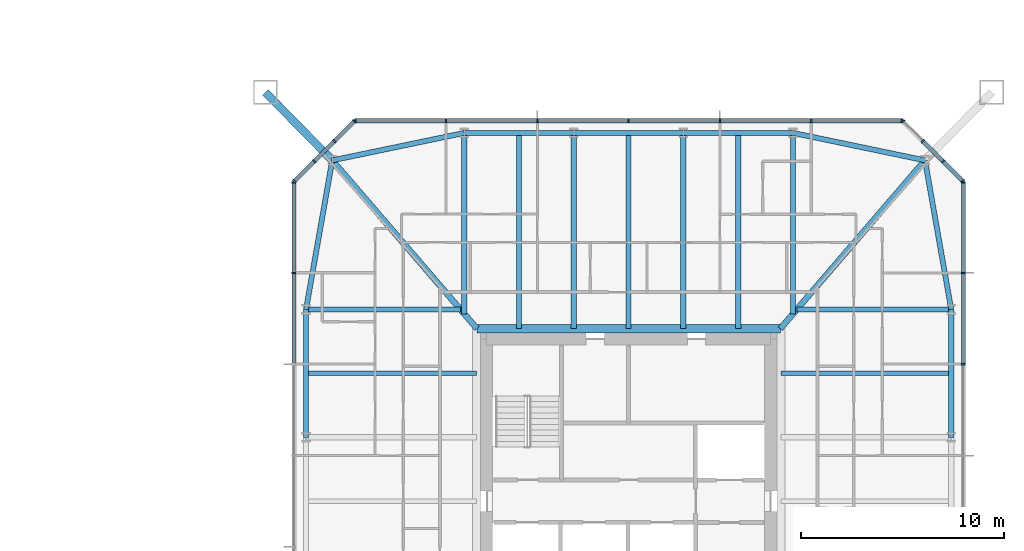
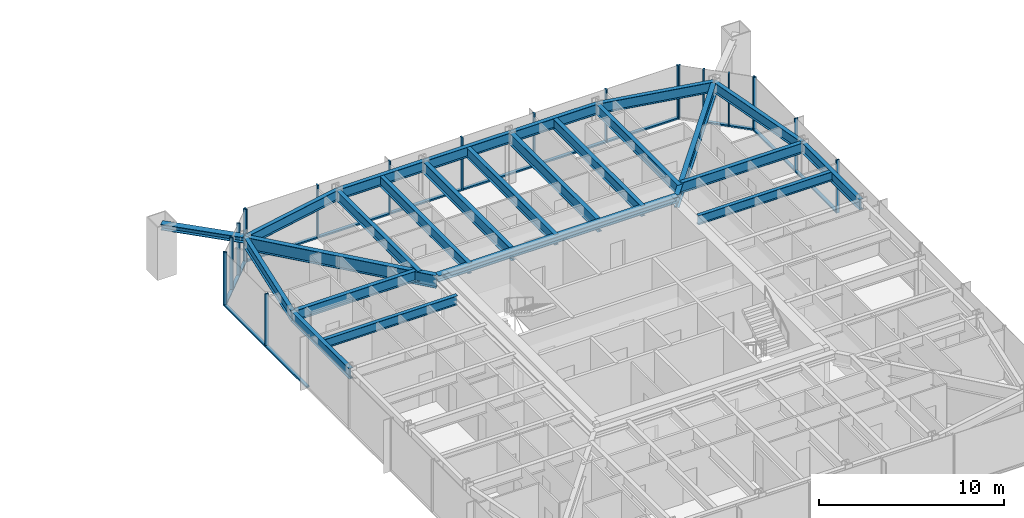
# One storey, part 10 of 26: 36 members, 23 beams, 5 elements without a shape of their own.
"""IFC4 building model written with IfcOpenShell, lengths in metres."""

from ifc_helpers import new_model, si_unit, direction, frame, origin, origin_2d, place, context, subcontext, project, spatial, rectangle, i_section, extrude, material, material_profile, profile_set, type_object, element, aggregate, save


model = new_model("IFC4")

# Units and contexts
model_context = context("Model", 3, precision=1e-05, world=origin(), true_north=direction((0.0, 1.0)))
body_context = subcontext(model_context, "Body", "Model", "MODEL_VIEW")
ifc_project = project(units=[si_unit("LENGTHUNIT", "METRE"), si_unit("AREAUNIT", "SQUARE_METRE"), si_unit("VOLUMEUNIT", "CUBIC_METRE"), si_unit("PLANEANGLEUNIT", "RADIAN"), si_unit("MASSUNIT", "GRAM", prefix="KILO")], contexts=[model_context])

# Site, building, storey
site_placement = place(None, origin())
site = spatial("IfcSite", under=ifc_project, at=site_placement, CompositionType="ELEMENT")
building_placement = place(site_placement, origin())
building = spatial("IfcBuilding", under=site, at=building_placement, Name="Iwan Alto Co-Living Towers", CompositionType="ELEMENT")
storey_placement = place(building_placement, frame((0.0, 0.0, 18.5)))
storey = spatial("IfcBuildingStorey", under=building, at=storey_placement, Name="L04", CompositionType="ELEMENT", Elevation=18.5)

# Curtain wall, members
ifc_material_1 = material(Name="Bronze aluminium unitised frame", Category="aluminium")
curtain_wall_type_1 = type_object("IfcCurtainWallType", Name="CURTAIN WALL CW-C", PredefinedType="NOTDEFINED", material=ifc_material_1)
curtain_wall_1_placement = place(storey_placement, origin())
curtain_wall_1 = element("IfcCurtainWall", 1, at=curtain_wall_1_placement, inside=storey, type_object=curtain_wall_type_1, Name="T2 curtain wall E L04", PredefinedType="NOTDEFINED")
ifc_material_2 = material(Name="Aluminium 6063-T6 bronze anodised", Category="aluminium")
ifc_material_profile_1 = material_profile(ifc_material_2, rectangle(XDim=0.199951171875, YDim=0.080078125, at=origin_2d()), Name="AL 80X200")
ifc_profile_set_1 = profile_set([ifc_material_profile_1], Name="Aluminium 6063-T6 bronze anodised")
member_type_1 = type_object("IfcMemberType", Name="CW-C MULLION 80X200", PredefinedType="MULLION", material=ifc_profile_set_1)
member_1_placement = place(storey_placement, frame((79.5, 6.75, 0.0), z_axis=(0.0, 0.0, 1.0), x_axis=(-1.0, 0.0, 0.0)))
member_1 = element("IfcMember", 2, at=member_1_placement, type_object=member_type_1, Name="CW-C mullion 6", PredefinedType="MULLION", context=body_context, shape_type="SweptSolid", body=[
    extrude(rectangle(XDim=0.199951171875, YDim=0.080078125, at=origin_2d()), origin(), (0.0, 0.0, 1.0), 3.5),
])
member_2_placement = place(storey_placement, frame((79.5, 11.25, 0.0), z_axis=(0.0, 0.0, 1.0), x_axis=(-1.0, 0.0, 0.0)))
member_2 = element("IfcMember", 3, at=member_2_placement, type_object=member_type_1, Name="CW-C mullion 7", PredefinedType="MULLION", context=body_context, shape_type="SweptSolid", body=[
    extrude(rectangle(XDim=0.199951171875, YDim=0.080078125, at=origin_2d()), origin(), (0.0, 0.0, 1.0), 3.5),
])
member_3_placement = place(storey_placement, frame((79.5, 15.7099609375, 0.0), z_axis=(0.0, 0.0, 1.0), x_axis=(-1.0, 0.0, 0.0)))
member_3 = element("IfcMember", 4, at=member_3_placement, type_object=member_type_1, Name="CW-C mullion 8", PredefinedType="MULLION", context=body_context, shape_type="SweptSolid", body=[
    extrude(rectangle(XDim=0.199951171875, YDim=0.080078125, at=origin_2d()), origin(), (0.0, 0.0, 1.0), 3.5),
])

curtain_wall_2_placement = place(storey_placement, origin())
curtain_wall_2 = element("IfcCurtainWall", 5, at=curtain_wall_2_placement, inside=storey, type_object=curtain_wall_type_1, Name="T2 curtain wall N L04", PredefinedType="NOTDEFINED")
member_4_placement = place(storey_placement, frame((76.4599609375, 18.75, 0.0), z_axis=(0.0, 0.0, 1.0), x_axis=(0.0, -1.0, 0.0)))
member_4 = element("IfcMember", 6, at=member_4_placement, type_object=member_type_1, Name="CW-C mullion 1", PredefinedType="MULLION", context=body_context, shape_type="SweptSolid", body=[
    extrude(rectangle(XDim=0.199951171875, YDim=0.080078125, at=origin_2d()), origin(), (0.0, 0.0, 1.0), 3.5),
])
member_5_placement = place(storey_placement, frame((72.0, 18.75, 0.0), z_axis=(0.0, 0.0, 1.0), x_axis=(0.0, -1.0, 0.0)))
member_5 = element("IfcMember", 7, at=member_5_placement, type_object=member_type_1, Name="CW-C mullion 2", PredefinedType="MULLION", context=body_context, shape_type="SweptSolid", body=[
    extrude(rectangle(XDim=0.199951171875, YDim=0.080078125, at=origin_2d()), origin(), (0.0, 0.0, 1.0), 3.5),
])
member_6_placement = place(storey_placement, frame((67.5, 18.75, 0.0), z_axis=(0.0, 0.0, 1.0), x_axis=(0.0, -1.0, 0.0)))
member_6 = element("IfcMember", 8, at=member_6_placement, type_object=member_type_1, Name="CW-C mullion 3", PredefinedType="MULLION", context=body_context, shape_type="SweptSolid", body=[
    extrude(rectangle(XDim=0.199951171875, YDim=0.080078125, at=origin_2d()), origin(), (0.0, 0.0, 1.0), 3.5),
])
member_7_placement = place(storey_placement, frame((63.0, 18.75, 0.0), z_axis=(0.0, 0.0, 1.0), x_axis=(0.0, -1.0, 0.0)))
member_7 = element("IfcMember", 9, at=member_7_placement, type_object=member_type_1, Name="CW-C mullion 4", PredefinedType="MULLION", context=body_context, shape_type="SweptSolid", body=[
    extrude(rectangle(XDim=0.199951171875, YDim=0.080078125, at=origin_2d()), origin(), (0.0, 0.0, 1.0), 3.5),
])
member_8_placement = place(storey_placement, frame((58.5, 18.75, 0.0), z_axis=(0.0, 0.0, 1.0), x_axis=(0.0, -1.0, 0.0)))
member_8 = element("IfcMember", 10, at=member_8_placement, type_object=member_type_1, Name="CW-C mullion 5", PredefinedType="MULLION", context=body_context, shape_type="SweptSolid", body=[
    extrude(rectangle(XDim=0.199951171875, YDim=0.080078125, at=origin_2d()), origin(), (0.0, 0.0, 1.0), 3.5),
])
member_9_placement = place(storey_placement, frame((54.0, 18.75, 0.0), z_axis=(0.0, 0.0, 1.0), x_axis=(0.0, -1.0, 0.0)))
member_9 = element("IfcMember", 11, at=member_9_placement, type_object=member_type_1, Name="CW-C mullion 6", PredefinedType="MULLION", context=body_context, shape_type="SweptSolid", body=[
    extrude(rectangle(XDim=0.199951171875, YDim=0.080078125, at=origin_2d()), origin(), (0.0, 0.0, 1.0), 3.5),
])
member_10_placement = place(storey_placement, frame((49.5400390625, 18.75, 0.0), z_axis=(0.0, 0.0, 1.0), x_axis=(0.0, -1.0, 0.0)))
member_10 = element("IfcMember", 12, at=member_10_placement, type_object=member_type_1, Name="CW-C mullion 7", PredefinedType="MULLION", context=body_context, shape_type="SweptSolid", body=[
    extrude(rectangle(XDim=0.199951171875, YDim=0.080078125, at=origin_2d()), origin(), (0.0, 0.0, 1.0), 3.5),
])

curtain_wall_3_placement = place(storey_placement, origin())
curtain_wall_3 = element("IfcCurtainWall", 13, at=curtain_wall_3_placement, inside=storey, type_object=curtain_wall_type_1, Name="T2 curtain wall W L04", PredefinedType="NOTDEFINED")
member_11_placement = place(storey_placement, frame((46.5, 15.7099609375, 0.0), z_axis=(0.0, 0.0, 1.0), x_axis=(1.0, 0.0, 0.0)))
member_11 = element("IfcMember", 14, at=member_11_placement, type_object=member_type_1, Name="CW-C mullion 1", PredefinedType="MULLION", context=body_context, shape_type="SweptSolid", body=[
    extrude(rectangle(XDim=0.199951171875, YDim=0.080078125, at=origin_2d()), origin(), (0.0, 0.0, 1.0), 3.5),
])
member_12_placement = place(storey_placement, frame((46.5, 11.25, 0.0), z_axis=(0.0, 0.0, 1.0), x_axis=(1.0, 0.0, 0.0)))
member_12 = element("IfcMember", 15, at=member_12_placement, type_object=member_type_1, Name="CW-C mullion 2", PredefinedType="MULLION", context=body_context, shape_type="SweptSolid", body=[
    extrude(rectangle(XDim=0.199951171875, YDim=0.080078125, at=origin_2d()), origin(), (0.0, 0.0, 1.0), 3.5),
])

# Member
ifc_material_3 = material(Name="Aluminium 6063-T6 bronze anodised", Category="aluminium")
ifc_material_profile_2 = material_profile(ifc_material_3, rectangle(XDim=0.199951171875, YDim=0.10009765625, at=origin_2d()), Name="AL 200X100")
ifc_profile_set_2 = profile_set([ifc_material_profile_2], Name="Aluminium 6063-T6 bronze anodised")
member_type_2 = type_object("IfcMemberType", Name="CW-C TRANSOM 200X100", PredefinedType="USERDEFINED", material=ifc_profile_set_2)
member_13_placement = place(storey_placement, frame((79.5, 6.7900390625, 0.050048828125), z_axis=(0.0, 1.0, 0.0), x_axis=(-1.0, 0.0, 0.0)))
member_13 = element("IfcMember", 16, at=member_13_placement, type_object=member_type_2, Name="CW-C transom 6.1", ObjectType="TRANSOM", PredefinedType="USERDEFINED", context=body_context, shape_type="SweptSolid", body=[
    extrude(rectangle(XDim=0.199951171875, YDim=0.10009765625, at=origin_2d()), origin(), (0.0, 0.0, 1.0), 4.419921875),
])

member_14_placement = place(storey_placement, frame((79.5, 11.2900390625, 0.050048828125), z_axis=(0.0, 1.0, 0.0), x_axis=(-1.0, 0.0, 0.0)))
member_14 = element("IfcMember", 17, at=member_14_placement, type_object=member_type_2, Name="CW-C transom 7.1", ObjectType="TRANSOM", PredefinedType="USERDEFINED", context=body_context, shape_type="SweptSolid", body=[
    extrude(rectangle(XDim=0.199951171875, YDim=0.10009765625, at=origin_2d()), origin(), (0.0, 0.0, 1.0), 4.3798828125),
])

aggregate(curtain_wall_1, [member_1, member_2, member_3, member_13, member_14])

member_15_placement = place(storey_placement, frame((76.419921875, 18.75, 0.050048828125), z_axis=(-1.0, 0.0, 0.0), x_axis=(0.0, -1.0, 0.0)))
member_15 = element("IfcMember", 18, at=member_15_placement, type_object=member_type_2, Name="CW-C transom 1.1", ObjectType="TRANSOM", PredefinedType="USERDEFINED", context=body_context, shape_type="SweptSolid", body=[
    extrude(rectangle(XDim=0.199951171875, YDim=0.10009765625, at=origin_2d()), origin(), (0.0, 0.0, 1.0), 4.3798828125),
])

member_16_placement = place(storey_placement, frame((71.9599609375, 18.75, 0.050048828125), z_axis=(-1.0, 0.0, 0.0), x_axis=(0.0, -1.0, 0.0)))
member_16 = element("IfcMember", 19, at=member_16_placement, type_object=member_type_2, Name="CW-C transom 2.1", ObjectType="TRANSOM", PredefinedType="USERDEFINED", context=body_context, shape_type="SweptSolid", body=[
    extrude(rectangle(XDim=0.199951171875, YDim=0.10009765625, at=origin_2d()), origin(), (0.0, 0.0, 1.0), 4.419921875),
])

member_17_placement = place(storey_placement, frame((67.4599609375, 18.75, 0.050048828125), z_axis=(-1.0, 0.0, 0.0), x_axis=(0.0, -1.0, 0.0)))
member_17 = element("IfcMember", 20, at=member_17_placement, type_object=member_type_2, Name="CW-C transom 3.1", ObjectType="TRANSOM", PredefinedType="USERDEFINED", context=body_context, shape_type="SweptSolid", body=[
    extrude(rectangle(XDim=0.199951171875, YDim=0.10009765625, at=origin_2d()), origin(), (0.0, 0.0, 1.0), 4.419921875),
])

member_18_placement = place(storey_placement, frame((62.9599609375, 18.75, 0.050048828125), z_axis=(-1.0, 0.0, 0.0), x_axis=(0.0, -1.0, 0.0)))
member_18 = element("IfcMember", 21, at=member_18_placement, type_object=member_type_2, Name="CW-C transom 4.1", ObjectType="TRANSOM", PredefinedType="USERDEFINED", context=body_context, shape_type="SweptSolid", body=[
    extrude(rectangle(XDim=0.199951171875, YDim=0.10009765625, at=origin_2d()), origin(), (0.0, 0.0, 1.0), 4.419921875),
])

member_19_placement = place(storey_placement, frame((58.4599609375, 18.75, 0.050048828125), z_axis=(-1.0, 0.0, 0.0), x_axis=(0.0, -1.0, 0.0)))
member_19 = element("IfcMember", 22, at=member_19_placement, type_object=member_type_2, Name="CW-C transom 5.1", ObjectType="TRANSOM", PredefinedType="USERDEFINED", context=body_context, shape_type="SweptSolid", body=[
    extrude(rectangle(XDim=0.199951171875, YDim=0.10009765625, at=origin_2d()), origin(), (0.0, 0.0, 1.0), 4.419921875),
])

member_20_placement = place(storey_placement, frame((53.9599609375, 18.75, 0.050048828125), z_axis=(-1.0, 0.0, 0.0), x_axis=(0.0, -1.0, 0.0)))
member_20 = element("IfcMember", 23, at=member_20_placement, type_object=member_type_2, Name="CW-C transom 6.1", ObjectType="TRANSOM", PredefinedType="USERDEFINED", context=body_context, shape_type="SweptSolid", body=[
    extrude(rectangle(XDim=0.199951171875, YDim=0.10009765625, at=origin_2d()), origin(), (0.0, 0.0, 1.0), 4.3798828125),
])

aggregate(curtain_wall_2, [member_4, member_5, member_6, member_7, member_8, member_9, member_10, member_15, member_16, member_17, member_18, member_19, member_20])

member_21_placement = place(storey_placement, frame((46.5, 15.669921875, 0.050048828125), z_axis=(0.0, -1.0, 0.0), x_axis=(1.0, 0.0, 0.0)))
member_21 = element("IfcMember", 24, at=member_21_placement, type_object=member_type_2, Name="CW-C transom 1.1", ObjectType="TRANSOM", PredefinedType="USERDEFINED", context=body_context, shape_type="SweptSolid", body=[
    extrude(rectangle(XDim=0.199951171875, YDim=0.10009765625, at=origin_2d()), origin(), (0.0, 0.0, 1.0), 4.3798828125),
])

member_22_placement = place(storey_placement, frame((46.5, 11.2099609375, 0.050048828125), z_axis=(0.0, -1.0, 0.0), x_axis=(1.0, 0.0, 0.0)))
member_22 = element("IfcMember", 25, at=member_22_placement, type_object=member_type_2, Name="CW-C transom 2.1", ObjectType="TRANSOM", PredefinedType="USERDEFINED", context=body_context, shape_type="SweptSolid", body=[
    extrude(rectangle(XDim=0.199951171875, YDim=0.10009765625, at=origin_2d()), origin(), (0.0, 0.0, 1.0), 4.419921875),
])

aggregate(curtain_wall_3, [member_11, member_12, member_21, member_22])

# Curtain wall, members
ifc_material_4 = material(Name="Bronze aluminium unitised frame", Category="aluminium")
curtain_wall_type_2 = type_object("IfcCurtainWallType", Name="CURTAIN WALL CW-D", PredefinedType="NOTDEFINED", material=ifc_material_4)
curtain_wall_4_placement = place(storey_placement, origin())
curtain_wall_4 = element("IfcCurtainWall", 26, at=curtain_wall_4_placement, inside=storey, type_object=curtain_wall_type_2, Name="T2 chamfer curtain wall NE L04", PredefinedType="NOTDEFINED")
ifc_material_5 = material(Name="Aluminium 6063-T6 bronze anodised", Category="aluminium")
ifc_material_profile_3 = material_profile(ifc_material_5, rectangle(XDim=0.199951171875, YDim=0.080078125, at=origin_2d()), Name="AL 80X200")
ifc_profile_set_3 = profile_set([ifc_material_profile_3], Name="Aluminium 6063-T6 bronze anodised")
member_type_3 = type_object("IfcMemberType", Name="CW-D MULLION 80X200", PredefinedType="MULLION", material=ifc_profile_set_3)
member_23_placement = place(storey_placement, frame((79.4716796875, 15.7783203125, 0.0), z_axis=(0.0, 0.0, 1.0), x_axis=(-0.707106781187, -0.707106781187, 0.0)))
member_23 = element("IfcMember", 27, at=member_23_placement, type_object=member_type_3, Name="CW-D mullion 1", PredefinedType="MULLION", context=body_context, shape_type="SweptSolid", body=[
    extrude(rectangle(XDim=0.199951171875, YDim=0.080078125, at=origin_2d()), origin(), (0.0, 0.0, 1.0), 3.5),
])
member_24_placement = place(storey_placement, frame((78.5, 16.75, 0.0), z_axis=(0.0, 0.0, 1.0), x_axis=(-0.707106781187, -0.707106781187, 0.0)))
member_24 = element("IfcMember", 28, at=member_24_placement, type_object=member_type_3, Name="CW-D mullion 2", PredefinedType="MULLION", context=body_context, shape_type="SweptSolid", body=[
    extrude(rectangle(XDim=0.199951171875, YDim=0.080078125, at=origin_2d()), origin(), (0.0, 0.0, 1.0), 3.5),
])
member_25_placement = place(storey_placement, frame((77.5, 17.75, 0.0), z_axis=(0.0, 0.0, 1.0), x_axis=(-0.707106781187, -0.707106781187, 0.0)))
member_25 = element("IfcMember", 29, at=member_25_placement, type_object=member_type_3, Name="CW-D mullion 3", PredefinedType="MULLION", context=body_context, shape_type="SweptSolid", body=[
    extrude(rectangle(XDim=0.199951171875, YDim=0.080078125, at=origin_2d()), origin(), (0.0, 0.0, 1.0), 3.5),
])
member_26_placement = place(storey_placement, frame((76.5283203125, 18.7216796875, 0.0), z_axis=(0.0, 0.0, 1.0), x_axis=(-0.707106781187, -0.707106781187, 0.0)))
member_26 = element("IfcMember", 30, at=member_26_placement, type_object=member_type_3, Name="CW-D mullion 4", PredefinedType="MULLION", context=body_context, shape_type="SweptSolid", body=[
    extrude(rectangle(XDim=0.199951171875, YDim=0.080078125, at=origin_2d()), origin(), (0.0, 0.0, 1.0), 3.5),
])

curtain_wall_5_placement = place(storey_placement, origin())
curtain_wall_5 = element("IfcCurtainWall", 31, at=curtain_wall_5_placement, inside=storey, type_object=curtain_wall_type_2, Name="T2 chamfer curtain wall NW L04", PredefinedType="NOTDEFINED")
member_27_placement = place(storey_placement, frame((49.4716796875, 18.7216796875, 0.0), z_axis=(0.0, 0.0, 1.0), x_axis=(0.707106781187, -0.707106781187, 0.0)))
member_27 = element("IfcMember", 32, at=member_27_placement, type_object=member_type_3, Name="CW-D mullion 1", PredefinedType="MULLION", context=body_context, shape_type="SweptSolid", body=[
    extrude(rectangle(XDim=0.199951171875, YDim=0.080078125, at=origin_2d()), origin(), (0.0, 0.0, 1.0), 3.5),
])
member_28_placement = place(storey_placement, frame((48.5, 17.75, 0.0), z_axis=(0.0, 0.0, 1.0), x_axis=(0.707106781187, -0.707106781187, 0.0)))
member_28 = element("IfcMember", 33, at=member_28_placement, type_object=member_type_3, Name="CW-D mullion 2", PredefinedType="MULLION", context=body_context, shape_type="SweptSolid", body=[
    extrude(rectangle(XDim=0.199951171875, YDim=0.080078125, at=origin_2d()), origin(), (0.0, 0.0, 1.0), 3.5),
])
member_29_placement = place(storey_placement, frame((47.5, 16.75, 0.0), z_axis=(0.0, 0.0, 1.0), x_axis=(0.707106781187, -0.707106781187, 0.0)))
member_29 = element("IfcMember", 34, at=member_29_placement, type_object=member_type_3, Name="CW-D mullion 3", PredefinedType="MULLION", context=body_context, shape_type="SweptSolid", body=[
    extrude(rectangle(XDim=0.199951171875, YDim=0.080078125, at=origin_2d()), origin(), (0.0, 0.0, 1.0), 3.5),
])
member_30_placement = place(storey_placement, frame((46.5283203125, 15.7783203125, 0.0), z_axis=(0.0, 0.0, 1.0), x_axis=(0.707106781187, -0.707106781187, 0.0)))
member_30 = element("IfcMember", 35, at=member_30_placement, type_object=member_type_3, Name="CW-D mullion 4", PredefinedType="MULLION", context=body_context, shape_type="SweptSolid", body=[
    extrude(rectangle(XDim=0.199951171875, YDim=0.080078125, at=origin_2d()), origin(), (0.0, 0.0, 1.0), 3.5),
])

# Member
ifc_material_6 = material(Name="Aluminium 6063-T6 bronze anodised", Category="aluminium")
ifc_material_profile_4 = material_profile(ifc_material_6, rectangle(XDim=0.199951171875, YDim=0.10009765625, at=origin_2d()), Name="AL 200X100")
ifc_profile_set_4 = profile_set([ifc_material_profile_4], Name="Aluminium 6063-T6 bronze anodised")
member_type_4 = type_object("IfcMemberType", Name="CW-D TRANSOM 200X100", PredefinedType="USERDEFINED", material=ifc_profile_set_4)
member_31_placement = place(storey_placement, frame((79.443359375, 15.806640625, 0.050048828125), z_axis=(-0.707106781187, 0.707106781187, 0.0), x_axis=(-0.707106781187, -0.707106781187, 0.0)))
member_31 = element("IfcMember", 36, at=member_31_placement, type_object=member_type_4, Name="CW-D transom 1.1", ObjectType="TRANSOM", PredefinedType="USERDEFINED", context=body_context, shape_type="SweptSolid", body=[
    extrude(rectangle(XDim=0.199951171875, YDim=0.10009765625, at=origin_2d()), origin(), (0.0, 0.0, 1.0), 1.2939453125),
])

member_32_placement = place(storey_placement, frame((78.4716796875, 16.7783203125, 0.050048828125), z_axis=(-0.707106781187, 0.707106781187, 0.0), x_axis=(-0.707106781187, -0.707106781187, 0.0)))
member_32 = element("IfcMember", 37, at=member_32_placement, type_object=member_type_4, Name="CW-D transom 2.1", ObjectType="TRANSOM", PredefinedType="USERDEFINED", context=body_context, shape_type="SweptSolid", body=[
    extrude(rectangle(XDim=0.199951171875, YDim=0.10009765625, at=origin_2d()), origin(), (0.0, 0.0, 1.0), 1.334228515625),
])

aggregate(curtain_wall_4, [member_23, member_24, member_25, member_26, member_31, member_32])

member_33_placement = place(storey_placement, frame((49.443359375, 18.693359375, 0.050048828125), z_axis=(-0.707106781187, -0.707106781187, 0.0), x_axis=(0.707106781187, -0.707106781187, 0.0)))
member_33 = element("IfcMember", 38, at=member_33_placement, type_object=member_type_4, Name="CW-D transom 1.1", ObjectType="TRANSOM", PredefinedType="USERDEFINED", context=body_context, shape_type="SweptSolid", body=[
    extrude(rectangle(XDim=0.199951171875, YDim=0.10009765625, at=origin_2d()), origin(), (0.0, 0.0, 1.0), 1.2939453125),
])

member_34_placement = place(storey_placement, frame((48.4716796875, 17.7216796875, 0.050048828125), z_axis=(-0.707106781187, -0.707106781187, 0.0), x_axis=(0.707106781187, -0.707106781187, 0.0)))
member_34 = element("IfcMember", 39, at=member_34_placement, type_object=member_type_4, Name="CW-D transom 2.1", ObjectType="TRANSOM", PredefinedType="USERDEFINED", context=body_context, shape_type="SweptSolid", body=[
    extrude(rectangle(XDim=0.199951171875, YDim=0.10009765625, at=origin_2d()), origin(), (0.0, 0.0, 1.0), 1.334228515625),
])

member_35_placement = place(storey_placement, frame((47.4716796875, 16.7216796875, 0.050048828125), z_axis=(-0.707106781187, -0.707106781187, 0.0), x_axis=(0.707106781187, -0.707106781187, 0.0)))
member_35 = element("IfcMember", 40, at=member_35_placement, type_object=member_type_4, Name="CW-D transom 3.1", ObjectType="TRANSOM", PredefinedType="USERDEFINED", context=body_context, shape_type="SweptSolid", body=[
    extrude(rectangle(XDim=0.199951171875, YDim=0.10009765625, at=origin_2d()), origin(), (0.0, 0.0, 1.0), 1.2939453125),
])

aggregate(curtain_wall_5, [member_27, member_28, member_29, member_30, member_33, member_34, member_35])

# Beams
ifc_material_7 = material(Name="Steel ASTM A992 Gr 50", Category="steel")
ifc_material_profile_5 = material_profile(ifc_material_7, i_section(OverallWidth=0.40380859375, OverallDepth=0.406494140625, WebThickness=0.027099609375, FlangeThickness=0.043701171875, at=origin_2d()), Name="W14X233")
ifc_profile_set_5 = profile_set([ifc_material_profile_5], Name="Steel ASTM A992 Gr 50")
beam_type_1 = type_object("IfcBeamType", Name="T2 CORE LEDGER BEAM W14X233", PredefinedType="BEAM", material=ifc_profile_set_5)
beam_1_placement = place(storey_placement, frame((70.4736328125, 8.501953125, 3.06689453125), z_axis=(-1.0, 0.0, 0.0), x_axis=(0.0, -1.0, 0.0)))
element("IfcBeam", 41, at=beam_1_placement, inside=storey, type_object=beam_type_1, Name="T2 core ledger beam N L05", PredefinedType="BEAM", context=body_context, shape_type="SweptSolid", body=[
    extrude(i_section(OverallWidth=0.40380859375, OverallDepth=0.406494140625, WebThickness=0.027099609375, FlangeThickness=0.043701171875, at=origin_2d()), origin(), (0.0, 0.0, 1.0), 14.947265625),
])
ifc_material_8 = material(Name="Steel ASTM A992 Gr 50", Category="steel")
ifc_material_profile_6 = material_profile(ifc_material_8, i_section(OverallWidth=0.2919921875, OverallDepth=0.8408203125, WebThickness=0.0146484375, FlangeThickness=0.021728515625, at=origin_2d()), Name="W33X130")
ifc_profile_set_6 = profile_set([ifc_material_profile_6], Name="Steel ASTM A992 Gr 50")
beam_type_2 = type_object("IfcBeamType", Name="T2 CORNER GIRDER W33X130", PredefinedType="BEAM", material=ifc_profile_set_6)
for number, where, z_axis, x_axis, name in (
    (42, (77.606201171875, 16.797119140625, 2.849609375), (-0.651972301827, -0.758242782788, 0.0), (0.758242782788, -0.651972301827, 0.0), "T2 corner girder CNE L05"),
    (43, (48.393798828125, 16.797119140625, 2.849609375), (0.651972301827, -0.758242782788, 0.0), (0.758242782788, 0.651972301827, 0.0), "T2 corner girder CNW L05"),
):
    element("IfcBeam", number, at=place(storey_placement, frame(where, z_axis=z_axis, x_axis=x_axis)), inside=storey, type_object=beam_type_2, Name=name, PredefinedType="BEAM", context=body_context, shape_type="SweptSolid", body=[
        extrude(i_section(OverallWidth=0.2919921875, OverallDepth=0.8408203125, WebThickness=0.0146484375, FlangeThickness=0.021728515625, at=origin_2d()), origin(), (0.0, 0.0, 1.0), 10.93994140625),
    ])
ifc_material_9 = material(Name="Steel ASTM A992 Gr 50", Category="steel")
ifc_material_profile_7 = material_profile(ifc_material_9, i_section(OverallWidth=0.25390625, OverallDepth=0.683349609375, WebThickness=0.012451171875, FlangeThickness=0.018798828125, at=origin_2d()), Name="W27X94")
ifc_profile_set_7 = profile_set([ifc_material_profile_7], Name="Steel ASTM A992 Gr 50")
beam_type_3 = type_object("IfcBeamType", Name="T2 EDGE BEAM W27X94", PredefinedType="BEAM", material=ifc_profile_set_7)
beam_2_placement = place(storey_placement, frame((78.89990234375, 3.14990234375, 2.928466796875), z_axis=(0.0, 1.0, 0.0), x_axis=(-1.0, 0.0, 0.0)))
element("IfcBeam", 44, at=beam_2_placement, inside=storey, type_object=beam_type_3, Name="T2 edge beam E3 L05", PredefinedType="BEAM", context=body_context, shape_type="SweptSolid", body=[
    extrude(i_section(OverallWidth=0.25390625, OverallDepth=0.683349609375, WebThickness=0.012451171875, FlangeThickness=0.018798828125, at=origin_2d()), origin(), (0.0, 0.0, 1.0), 6.300048828125),
])
beam_3_placement = place(storey_placement, frame((78.89990234375, 9.449951171875, 2.928466796875), z_axis=(-0.173413807283, 0.98484905008, 0.0), x_axis=(-0.98484905008, -0.173413807283, 0.0)))
element("IfcBeam", 45, at=beam_3_placement, inside=storey, type_object=beam_type_3, Name="T2 edge beam E4 L05", PredefinedType="BEAM", context=body_context, shape_type="SweptSolid", body=[
    extrude(i_section(OverallWidth=0.25390625, OverallDepth=0.683349609375, WebThickness=0.012451171875, FlangeThickness=0.018798828125, at=origin_2d()), origin(), (0.0, 0.0, 1.0), 7.460205078125),
])
beam_4_placement = place(storey_placement, frame((77.606201171875, 16.797119140625, 2.928466796875), z_axis=(-0.979060119423, 0.203571320564, 0.0), x_axis=(-0.203571320564, -0.979060119423, 0.0)))
element("IfcBeam", 46, at=beam_4_placement, inside=storey, type_object=beam_type_3, Name="T2 edge beam CNE L05", PredefinedType="BEAM", context=body_context, shape_type="SweptSolid", body=[
    extrude(i_section(OverallWidth=0.25390625, OverallDepth=0.683349609375, WebThickness=0.012451171875, FlangeThickness=0.018798828125, at=origin_2d()), origin(), (0.0, 0.0, 1.0), 6.645263671875),
])
beam_5_placement = place(storey_placement, frame((71.10009765625, 18.14990234375, 2.928466796875), z_axis=(-1.0, 0.0, 0.0), x_axis=(0.0, -1.0, 0.0)))
element("IfcBeam", 47, at=beam_5_placement, inside=storey, type_object=beam_type_3, Name="T2 edge beam N1 L05", PredefinedType="BEAM", context=body_context, shape_type="SweptSolid", body=[
    extrude(i_section(OverallWidth=0.25390625, OverallDepth=0.683349609375, WebThickness=0.012451171875, FlangeThickness=0.018798828125, at=origin_2d()), origin(), (0.0, 0.0, 1.0), 5.400146484375),
])
beam_6_placement = place(storey_placement, frame((65.699951171875, 18.14990234375, 2.928466796875), z_axis=(-1.0, 0.0, 0.0), x_axis=(0.0, -1.0, 0.0)))
element("IfcBeam", 48, at=beam_6_placement, inside=storey, type_object=beam_type_3, Name="T2 edge beam N2 L05", PredefinedType="BEAM", context=body_context, shape_type="SweptSolid", body=[
    extrude(i_section(OverallWidth=0.25390625, OverallDepth=0.683349609375, WebThickness=0.012451171875, FlangeThickness=0.018798828125, at=origin_2d()), origin(), (0.0, 0.0, 1.0), 5.39990234375),
])
beam_7_placement = place(storey_placement, frame((60.300048828125, 18.14990234375, 2.928466796875), z_axis=(-1.0, 0.0, 0.0), x_axis=(0.0, -1.0, 0.0)))
element("IfcBeam", 49, at=beam_7_placement, inside=storey, type_object=beam_type_3, Name="T2 edge beam N3 L05", PredefinedType="BEAM", context=body_context, shape_type="SweptSolid", body=[
    extrude(i_section(OverallWidth=0.25390625, OverallDepth=0.683349609375, WebThickness=0.012451171875, FlangeThickness=0.018798828125, at=origin_2d()), origin(), (0.0, 0.0, 1.0), 5.400146484375),
])
beam_8_placement = place(storey_placement, frame((54.89990234375, 18.14990234375, 2.928466796875), z_axis=(-0.979060119423, -0.203571320564, 0.0), x_axis=(0.203571320564, -0.979060119423, 0.0)))
element("IfcBeam", 50, at=beam_8_placement, inside=storey, type_object=beam_type_3, Name="T2 edge beam N4 L05", PredefinedType="BEAM", context=body_context, shape_type="SweptSolid", body=[
    extrude(i_section(OverallWidth=0.25390625, OverallDepth=0.683349609375, WebThickness=0.012451171875, FlangeThickness=0.018798828125, at=origin_2d()), origin(), (0.0, 0.0, 1.0), 6.645263671875),
])
beam_9_placement = place(storey_placement, frame((48.393798828125, 16.797119140625, 2.928466796875), z_axis=(-0.173413807283, -0.98484905008, 0.0), x_axis=(0.98484905008, -0.173413807283, 0.0)))
element("IfcBeam", 51, at=beam_9_placement, inside=storey, type_object=beam_type_3, Name="T2 edge beam CNW L05", PredefinedType="BEAM", context=body_context, shape_type="SweptSolid", body=[
    extrude(i_section(OverallWidth=0.25390625, OverallDepth=0.683349609375, WebThickness=0.012451171875, FlangeThickness=0.018798828125, at=origin_2d()), origin(), (0.0, 0.0, 1.0), 7.460205078125),
])
beam_10_placement = place(storey_placement, frame((47.10009765625, 9.449951171875, 2.928466796875), z_axis=(0.0, -1.0, 0.0), x_axis=(1.0, 0.0, 0.0)))
element("IfcBeam", 52, at=beam_10_placement, inside=storey, type_object=beam_type_3, Name="T2 edge beam W1 L05", PredefinedType="BEAM", context=body_context, shape_type="SweptSolid", body=[
    extrude(i_section(OverallWidth=0.25390625, OverallDepth=0.683349609375, WebThickness=0.012451171875, FlangeThickness=0.018798828125, at=origin_2d()), origin(), (0.0, 0.0, 1.0), 6.300048828125),
])

# Member
ifc_material_10 = material(Name="Steel ASTM A992 Gr 50", Category="steel")
ifc_material_profile_8 = material_profile(ifc_material_10, i_section(OverallWidth=0.393798828125, OverallDepth=0.3759765625, WebThickness=0.017333984375, FlangeThickness=0.027587890625, at=origin_2d()), Name="W14X145")
ifc_profile_set_8 = profile_set([ifc_material_profile_8], Name="Steel ASTM A992 Gr 50")
member_type_5 = type_object("IfcMemberType", Name="T2 MEGA COLUMN FLOOR TIE W14X145", PredefinedType="STRUT", material=ifc_profile_set_8)
member_36_placement = place(storey_placement, frame((45.10009765625, 20.14990234375, 3.08203125), z_axis=(0.700793469544, -0.71336422187, 0.0), x_axis=(0.71336422187, 0.700793469544, 0.0)))
element("IfcMember", 53, at=member_36_placement, inside=storey, type_object=member_type_5, Name="T2 mega column floor tie NW L05", PredefinedType="STRUT", context=body_context, shape_type="SweptSolid", body=[
    extrude(i_section(OverallWidth=0.393798828125, OverallDepth=0.3759765625, WebThickness=0.017333984375, FlangeThickness=0.027587890625, at=origin_2d()), origin(), (0.0, 0.0, 1.0), 4.699951171875),
])

# Beams
ifc_material_11 = material(Name="Steel ASTM A992 Gr 50", Category="steel")
ifc_material_profile_9 = material_profile(ifc_material_11, i_section(OverallWidth=0.25390625, OverallDepth=0.683349609375, WebThickness=0.012451171875, FlangeThickness=0.018798828125, at=origin_2d()), Name="W27X94")
ifc_profile_set_9 = profile_set([ifc_material_profile_9], Name="Steel ASTM A992 Gr 50")
beam_type_4 = type_object("IfcBeamType", Name="T2 RADIAL BEAM W27X94", PredefinedType="BEAM", material=ifc_profile_set_9)
beam_11_placement = place(storey_placement, frame((78.89990234375, 9.449951171875, 2.928466796875), z_axis=(-1.0, 0.0, 0.0), x_axis=(0.0, -1.0, 0.0)))
element("IfcBeam", 54, at=beam_11_placement, inside=storey, type_object=beam_type_4, Name="T2 radial beam E4 L05", PredefinedType="BEAM", context=body_context, shape_type="SweptSolid", body=[
    extrude(i_section(OverallWidth=0.25390625, OverallDepth=0.683349609375, WebThickness=0.012451171875, FlangeThickness=0.018798828125, at=origin_2d()), origin(), (0.0, 0.0, 1.0), 7.611083984375),
])
for number, where, z_axis, x_axis, name in (
    (55, (71.10009765625, 18.14990234375, 2.928466796875), (0.0, -1.0, 0.0), (1.0, 0.0, 0.0), "T2 radial beam N1 L05"),
    (56, (54.89990234375, 18.14990234375, 2.928466796875), (0.0, -1.0, 0.0), (1.0, 0.0, 0.0), "T2 radial beam N4 L05"),
):
    element("IfcBeam", number, at=place(storey_placement, frame(where, z_axis=z_axis, x_axis=x_axis)), inside=storey, type_object=beam_type_4, Name=name, PredefinedType="BEAM", context=body_context, shape_type="SweptSolid", body=[
        extrude(i_section(OverallWidth=0.25390625, OverallDepth=0.683349609375, WebThickness=0.012451171875, FlangeThickness=0.018798828125, at=origin_2d()), origin(), (0.0, 0.0, 1.0), 8.91943359375),
    ])
beam_12_placement = place(storey_placement, frame((47.10009765625, 9.449951171875, 2.928466796875), z_axis=(1.0, 0.0, 0.0), x_axis=(0.0, 1.0, 0.0)))
element("IfcBeam", 57, at=beam_12_placement, inside=storey, type_object=beam_type_4, Name="T2 radial beam W1 L05", PredefinedType="BEAM", context=body_context, shape_type="SweptSolid", body=[
    extrude(i_section(OverallWidth=0.25390625, OverallDepth=0.683349609375, WebThickness=0.012451171875, FlangeThickness=0.018798828125, at=origin_2d()), origin(), (0.0, 0.0, 1.0), 7.611083984375),
])
ifc_material_12 = material(Name="Steel ASTM A992 Gr 50", Category="steel")
ifc_material_profile_10 = material_profile(ifc_material_12, i_section(OverallWidth=0.2666015625, OverallDepth=0.761962890625, WebThickness=0.014404296875, FlangeThickness=0.021484375, at=origin_2d()), Name="W30X116")
ifc_profile_set_10 = profile_set([ifc_material_profile_10], Name="Steel ASTM A992 Gr 50")
beam_type_5 = type_object("IfcBeamType", Name="T2 RADIAL BEAM W30X116", PredefinedType="BEAM", material=ifc_profile_set_10)
for number, where, z_axis, x_axis, name in (
    (58, (65.699951171875, 18.14990234375, 2.888916015625), (0.0, -1.0, 0.0), (1.0, 0.0, 0.0), "T2 radial beam N2 L05"),
    (59, (60.300048828125, 18.14990234375, 2.888916015625), (0.0, -1.0, 0.0), (1.0, 0.0, 0.0), "T2 radial beam N3 L05"),
):
    element("IfcBeam", number, at=place(storey_placement, frame(where, z_axis=z_axis, x_axis=x_axis)), inside=storey, type_object=beam_type_5, Name=name, PredefinedType="BEAM", context=body_context, shape_type="SweptSolid", body=[
        extrude(i_section(OverallWidth=0.2666015625, OverallDepth=0.761962890625, WebThickness=0.014404296875, FlangeThickness=0.021484375, at=origin_2d()), origin(), (0.0, 0.0, 1.0), 9.64794921875),
    ])
ifc_material_13 = material(Name="Steel ASTM A992 Gr 50", Category="steel")
ifc_material_profile_11 = material_profile(ifc_material_13, i_section(OverallWidth=0.228271484375, OverallDepth=0.607177734375, WebThickness=0.01123046875, FlangeThickness=0.017333984375, at=origin_2d()), Name="W24X76")
ifc_profile_set_11 = profile_set([ifc_material_profile_11], Name="Steel ASTM A992 Gr 50")
beam_type_6 = type_object("IfcBeamType", Name="T2 SECONDARY BEAM W24X76", PredefinedType="JOIST", material=ifc_profile_set_11)
for number, where, z_axis, x_axis, name in (
    (60, (78.89990234375, 6.300048828125, 2.966552734375), (-1.0, 0.0, 0.0), (0.0, -1.0, 0.0), "T2 secondary beam E3 L05"),
    (61, (47.10009765625, 6.300048828125, 2.966552734375), (1.0, 0.0, 0.0), (0.0, 1.0, 0.0), "T2 secondary beam W1 L05"),
):
    element("IfcBeam", number, at=place(storey_placement, frame(where, z_axis=z_axis, x_axis=x_axis)), inside=storey, type_object=beam_type_6, Name=name, PredefinedType="JOIST", context=body_context, shape_type="SweptSolid", body=[
        extrude(i_section(OverallWidth=0.228271484375, OverallDepth=0.607177734375, WebThickness=0.01123046875, FlangeThickness=0.017333984375, at=origin_2d()), origin(), (0.0, 0.0, 1.0), 8.39794921875),
    ])
ifc_material_14 = material(Name="Steel ASTM A992 Gr 50", Category="steel")
ifc_material_profile_12 = material_profile(ifc_material_14, i_section(OverallWidth=0.25390625, OverallDepth=0.683349609375, WebThickness=0.012451171875, FlangeThickness=0.018798828125, at=origin_2d()), Name="W27X94")
ifc_profile_set_12 = profile_set([ifc_material_profile_12], Name="Steel ASTM A992 Gr 50")
beam_type_7 = type_object("IfcBeamType", Name="T2 SECONDARY BEAM W27X94", PredefinedType="JOIST", material=ifc_profile_set_12)
for number, where, z_axis, x_axis, name in (
    (62, (68.39990234375, 18.14990234375, 2.928466796875), (0.0, -1.0, 0.0), (1.0, 0.0, 0.0), "T2 secondary beam N1 L05"),
    (63, (63.0, 18.14990234375, 2.928466796875), (0.0, -1.0, 0.0), (1.0, 0.0, 0.0), "T2 secondary beam N2 L05"),
    (64, (57.60009765625, 18.14990234375, 2.928466796875), (0.0, -1.0, 0.0), (1.0, 0.0, 0.0), "T2 secondary beam N3 L05"),
):
    element("IfcBeam", number, at=place(storey_placement, frame(where, z_axis=z_axis, x_axis=x_axis)), inside=storey, type_object=beam_type_7, Name=name, PredefinedType="JOIST", context=body_context, shape_type="SweptSolid", body=[
        extrude(i_section(OverallWidth=0.25390625, OverallDepth=0.683349609375, WebThickness=0.012451171875, FlangeThickness=0.018798828125, at=origin_2d()), origin(), (0.0, 0.0, 1.0), 9.64794921875),
    ])

save(model, "model.ifc")
